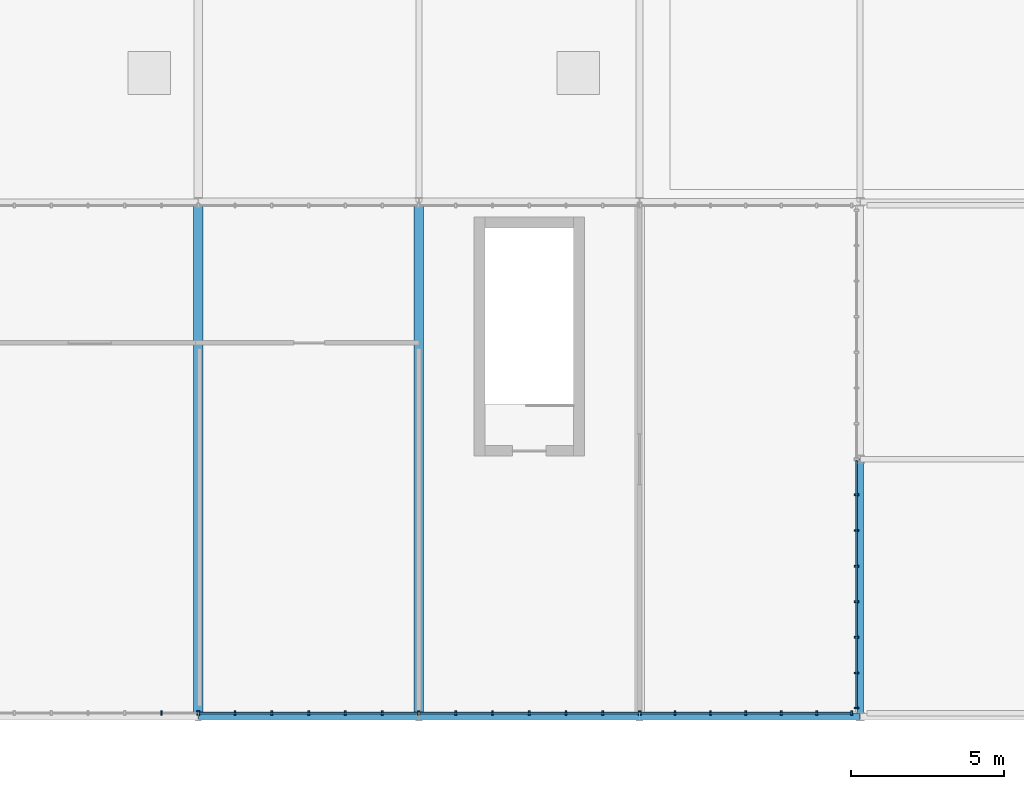
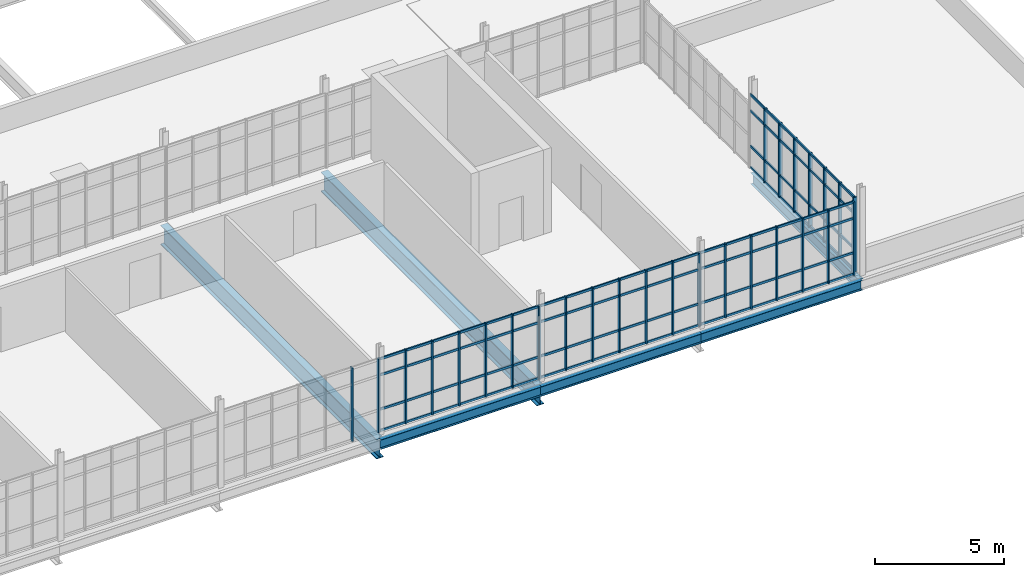
# One storey, part 58 of 119: 46 members, 6 beams, 5 elements without a shape of their own.
"""IFC4 building model written with IfcOpenShell, lengths in metres."""

from ifc_helpers import new_model, si_unit, direction, frame, origin, origin_2d, place, context, subcontext, project, spatial, rectangle, i_section, extrude, material, material_profile, profile_set, type_object, element, aggregate, save


model = new_model("IFC4")

# Units and contexts
model_context = context("Model", 3, precision=1e-05, world=origin(), true_north=direction((0.0, 1.0)))
body_context = subcontext(model_context, "Body", "Model", "MODEL_VIEW")
ifc_project = project(units=[si_unit("LENGTHUNIT", "METRE"), si_unit("AREAUNIT", "SQUARE_METRE"), si_unit("VOLUMEUNIT", "CUBIC_METRE"), si_unit("PLANEANGLEUNIT", "RADIAN"), si_unit("MASSUNIT", "GRAM", prefix="KILO")], contexts=[model_context])

# Site, building, storey
site_placement = place(None, origin())
site = spatial("IfcSite", under=ifc_project, at=site_placement, CompositionType="ELEMENT")
building_placement = place(site_placement, origin())
building = spatial("IfcBuilding", under=site, at=building_placement, Name="Qelthora Terrace Specialist Clinic", CompositionType="ELEMENT")
storey_placement = place(building_placement, frame((0.0, 0.0, 4.800048828125)))
storey = spatial("IfcBuildingStorey", under=building, at=storey_placement, Name="L01", CompositionType="ELEMENT", Elevation=4.800048828125)

# Beams
ifc_material_1 = material(Name="Steel S355", Category="steel")
ifc_material_profile_1 = material_profile(ifc_material_1, i_section(OverallWidth=0.2119140625, OverallDepth=0.5439453125, WebThickness=0.01318359375, FlangeThickness=0.021240234375, FilletRadius=0.013916015625, at=origin_2d()), Name="W530X123")
ifc_profile_set_1 = profile_set([ifc_material_profile_1], Name="Steel S355")
beam_type_1 = type_object("IfcBeamType", Name="BM-W530X123", PredefinedType="BEAM", material=ifc_profile_set_1)
beam_placement = place(storey_placement, frame((151.199951171875, 0.0, -0.52197265625), z_axis=(0.0, 1.0, 0.0), x_axis=(-1.0, 0.0, 0.0)))
element("IfcBeam", 1, at=beam_placement, inside=storey, type_object=beam_type_1, Name="Girder BMY-L01-0525", PredefinedType="BEAM", context=body_context, shape_type="SweptSolid", body=[
    extrude(i_section(OverallWidth=0.2119140625, OverallDepth=0.5439453125, WebThickness=0.01318359375, FlangeThickness=0.021240234375, FilletRadius=0.013916015625, at=origin_2d()), origin(), (0.0, 0.0, 1.0), 8.39990234375),
])
ifc_material_profile_2 = material_profile(ifc_material_1, i_section(OverallWidth=0.30810546875, OverallDepth=0.927001953125, WebThickness=0.019287109375, FlangeThickness=0.031982421875, FilletRadius=0.02197265625, at=origin_2d()), Name="W920X289")
ifc_profile_set_2 = profile_set([ifc_material_profile_2], Name="Steel S355")
beam_type_2 = type_object("IfcBeamType", Name="BM-W920X289", PredefinedType="BEAM", material=ifc_profile_set_2)
for number, where, z_axis, x_axis, name in (
    (2, (129.60009765625, 0.0, -0.713623046875), (0.0, 1.0, 0.0), (-1.0, 0.0, 0.0), "Girder BMY-L01-0501"),
    (3, (136.800048828125, 0.0, -0.713623046875), (0.0, 1.0, 0.0), (-1.0, 0.0, 0.0), "Girder BMY-L01-0507"),
):
    element("IfcBeam", number, at=place(storey_placement, frame(where, z_axis=z_axis, x_axis=x_axis)), inside=storey, type_object=beam_type_2, Name=name, PredefinedType="BEAM", context=body_context, shape_type="SweptSolid", body=[
        extrude(i_section(OverallWidth=0.30810546875, OverallDepth=0.927001953125, WebThickness=0.019287109375, FlangeThickness=0.031982421875, FilletRadius=0.02197265625, at=origin_2d()), origin(), (0.0, 0.0, 1.0), 16.800048828125),
    ])

# Curtain wall, members
ifc_material_2 = material(Name="Aluminium anodized bronze", Category="aluminium")
curtain_wall_type = type_object("IfcCurtainWallType", Name="CW-CONS-UP", PredefinedType="NOTDEFINED", material=ifc_material_2)
curtain_wall_1_placement = place(storey_placement, origin())
curtain_wall_1 = element("IfcCurtainWall", 4, at=curtain_wall_1_placement, inside=storey, type_object=curtain_wall_type, Name="Curtain wall CW-L01-246", PredefinedType="NOTDEFINED")
ifc_material_profile_3 = material_profile(ifc_material_2, rectangle(XDim=0.06005859375, YDim=0.14990234375, at=origin_2d()), Name="CWM60X150")
ifc_profile_set_3 = profile_set([ifc_material_profile_3], Name="Aluminium anodized bronze")
member_type_1 = type_object("IfcMemberType", Name="CWM-60X150", PredefinedType="MULLION", material=ifc_profile_set_3)
member_1_placement = place(storey_placement, frame((151.080078125, 0.280029296875, 0.0), z_axis=(0.0, 0.0, 1.0), x_axis=(0.0, 1.0, 0.0)))
member_1 = element("IfcMember", 5, at=member_1_placement, type_object=member_type_1, Name="CW-L01-246 mullion 1", PredefinedType="MULLION", context=body_context, shape_type="SweptSolid", body=[
    extrude(rectangle(XDim=0.06005859375, YDim=0.14990234375, at=origin_2d()), origin(), (0.0, 0.0, 1.0), 3.529052734375),
])
member_2_placement = place(storey_placement, frame((151.080078125, 1.4228515625, 0.0), z_axis=(0.0, 0.0, 1.0), x_axis=(0.0, 1.0, 0.0)))
member_2 = element("IfcMember", 6, at=member_2_placement, type_object=member_type_1, Name="CW-L01-246 mullion 2", PredefinedType="MULLION", context=body_context, shape_type="SweptSolid", body=[
    extrude(rectangle(XDim=0.06005859375, YDim=0.14990234375, at=origin_2d()), origin(), (0.0, 0.0, 1.0), 3.529052734375),
])
member_3_placement = place(storey_placement, frame((151.080078125, 2.585693359375, 0.0), z_axis=(0.0, 0.0, 1.0), x_axis=(0.0, 1.0, 0.0)))
member_3 = element("IfcMember", 7, at=member_3_placement, type_object=member_type_1, Name="CW-L01-246 mullion 3", PredefinedType="MULLION", context=body_context, shape_type="SweptSolid", body=[
    extrude(rectangle(XDim=0.06005859375, YDim=0.14990234375, at=origin_2d()), origin(), (0.0, 0.0, 1.0), 3.529052734375),
])
member_4_placement = place(storey_placement, frame((151.080078125, 3.74853515625, 0.0), z_axis=(0.0, 0.0, 1.0), x_axis=(0.0, 1.0, 0.0)))
member_4 = element("IfcMember", 8, at=member_4_placement, type_object=member_type_1, Name="CW-L01-246 mullion 4", PredefinedType="MULLION", context=body_context, shape_type="SweptSolid", body=[
    extrude(rectangle(XDim=0.06005859375, YDim=0.14990234375, at=origin_2d()), origin(), (0.0, 0.0, 1.0), 3.529052734375),
])
member_5_placement = place(storey_placement, frame((151.080078125, 4.911376953125, 0.0), z_axis=(0.0, 0.0, 1.0), x_axis=(0.0, 1.0, 0.0)))
member_5 = element("IfcMember", 9, at=member_5_placement, type_object=member_type_1, Name="CW-L01-246 mullion 5", PredefinedType="MULLION", context=body_context, shape_type="SweptSolid", body=[
    extrude(rectangle(XDim=0.06005859375, YDim=0.14990234375, at=origin_2d()), origin(), (0.0, 0.0, 1.0), 3.529052734375),
])
member_6_placement = place(storey_placement, frame((151.080078125, 6.07421875, 0.0), z_axis=(0.0, 0.0, 1.0), x_axis=(0.0, 1.0, 0.0)))
member_6 = element("IfcMember", 10, at=member_6_placement, type_object=member_type_1, Name="CW-L01-246 mullion 6", PredefinedType="MULLION", context=body_context, shape_type="SweptSolid", body=[
    extrude(rectangle(XDim=0.06005859375, YDim=0.14990234375, at=origin_2d()), origin(), (0.0, 0.0, 1.0), 3.529052734375),
])
member_7_placement = place(storey_placement, frame((151.080078125, 7.237060546875, 0.0), z_axis=(0.0, 0.0, 1.0), x_axis=(0.0, 1.0, 0.0)))
member_7 = element("IfcMember", 11, at=member_7_placement, type_object=member_type_1, Name="CW-L01-246 mullion 7", PredefinedType="MULLION", context=body_context, shape_type="SweptSolid", body=[
    extrude(rectangle(XDim=0.06005859375, YDim=0.14990234375, at=origin_2d()), origin(), (0.0, 0.0, 1.0), 3.529052734375),
])

curtain_wall_2_placement = place(storey_placement, origin())
curtain_wall_2 = element("IfcCurtainWall", 12, at=curtain_wall_2_placement, inside=storey, type_object=curtain_wall_type, Name="Curtain wall CW-L01-250", PredefinedType="NOTDEFINED")
member_8_placement = place(storey_placement, frame((128.39990234375, 0.1201171875, 0.0), z_axis=(0.0, 0.0, 1.0), x_axis=(1.0, 0.0, 0.0)))
member_8 = element("IfcMember", 13, at=member_8_placement, type_object=member_type_1, Name="CW-L01-250 mullion 6", PredefinedType="MULLION", context=body_context, shape_type="SweptSolid", body=[
    extrude(rectangle(XDim=0.06005859375, YDim=0.14990234375, at=origin_2d()), origin(), (0.0, 0.0, 1.0), 3.48193359375),
])
member_9_placement = place(storey_placement, frame((129.580078125, 0.1201171875, 0.0), z_axis=(0.0, 0.0, 1.0), x_axis=(1.0, 0.0, 0.0)))
member_9 = element("IfcMember", 14, at=member_9_placement, type_object=member_type_1, Name="CW-L01-250 mullion 7", PredefinedType="MULLION", context=body_context, shape_type="SweptSolid", body=[
    extrude(rectangle(XDim=0.06005859375, YDim=0.14990234375, at=origin_2d()), origin(), (0.0, 0.0, 1.0), 3.48193359375),
])
aggregate(curtain_wall_2, [member_8, member_9])

curtain_wall_3_placement = place(storey_placement, origin())
curtain_wall_3 = element("IfcCurtainWall", 15, at=curtain_wall_3_placement, inside=storey, type_object=curtain_wall_type, Name="Curtain wall CW-L01-251", PredefinedType="NOTDEFINED")
member_10_placement = place(storey_placement, frame((129.6201171875, 0.1201171875, 0.0), z_axis=(0.0, 0.0, 1.0), x_axis=(1.0, 0.0, 0.0)))
member_10 = element("IfcMember", 16, at=member_10_placement, type_object=member_type_1, Name="CW-L01-251 mullion 1", PredefinedType="MULLION", context=body_context, shape_type="SweptSolid", body=[
    extrude(rectangle(XDim=0.06005859375, YDim=0.14990234375, at=origin_2d()), origin(), (0.0, 0.0, 1.0), 3.48193359375),
])
member_11_placement = place(storey_placement, frame((130.800048828125, 0.1201171875, 0.0), z_axis=(0.0, 0.0, 1.0), x_axis=(1.0, 0.0, 0.0)))
member_11 = element("IfcMember", 17, at=member_11_placement, type_object=member_type_1, Name="CW-L01-251 mullion 2", PredefinedType="MULLION", context=body_context, shape_type="SweptSolid", body=[
    extrude(rectangle(XDim=0.06005859375, YDim=0.14990234375, at=origin_2d()), origin(), (0.0, 0.0, 1.0), 3.48193359375),
])
member_12_placement = place(storey_placement, frame((132.0, 0.1201171875, 0.0), z_axis=(0.0, 0.0, 1.0), x_axis=(1.0, 0.0, 0.0)))
member_12 = element("IfcMember", 18, at=member_12_placement, type_object=member_type_1, Name="CW-L01-251 mullion 3", PredefinedType="MULLION", context=body_context, shape_type="SweptSolid", body=[
    extrude(rectangle(XDim=0.06005859375, YDim=0.14990234375, at=origin_2d()), origin(), (0.0, 0.0, 1.0), 3.48193359375),
])
member_13_placement = place(storey_placement, frame((133.199951171875, 0.1201171875, 0.0), z_axis=(0.0, 0.0, 1.0), x_axis=(1.0, 0.0, 0.0)))
member_13 = element("IfcMember", 19, at=member_13_placement, type_object=member_type_1, Name="CW-L01-251 mullion 4", PredefinedType="MULLION", context=body_context, shape_type="SweptSolid", body=[
    extrude(rectangle(XDim=0.06005859375, YDim=0.14990234375, at=origin_2d()), origin(), (0.0, 0.0, 1.0), 3.48193359375),
])
member_14_placement = place(storey_placement, frame((134.39990234375, 0.1201171875, 0.0), z_axis=(0.0, 0.0, 1.0), x_axis=(1.0, 0.0, 0.0)))
member_14 = element("IfcMember", 20, at=member_14_placement, type_object=member_type_1, Name="CW-L01-251 mullion 5", PredefinedType="MULLION", context=body_context, shape_type="SweptSolid", body=[
    extrude(rectangle(XDim=0.06005859375, YDim=0.14990234375, at=origin_2d()), origin(), (0.0, 0.0, 1.0), 3.48193359375),
])
member_15_placement = place(storey_placement, frame((135.60009765625, 0.1201171875, 0.0), z_axis=(0.0, 0.0, 1.0), x_axis=(1.0, 0.0, 0.0)))
member_15 = element("IfcMember", 21, at=member_15_placement, type_object=member_type_1, Name="CW-L01-251 mullion 6", PredefinedType="MULLION", context=body_context, shape_type="SweptSolid", body=[
    extrude(rectangle(XDim=0.06005859375, YDim=0.14990234375, at=origin_2d()), origin(), (0.0, 0.0, 1.0), 3.48193359375),
])
member_16_placement = place(storey_placement, frame((136.780029296875, 0.1201171875, 0.0), z_axis=(0.0, 0.0, 1.0), x_axis=(1.0, 0.0, 0.0)))
member_16 = element("IfcMember", 22, at=member_16_placement, type_object=member_type_1, Name="CW-L01-251 mullion 7", PredefinedType="MULLION", context=body_context, shape_type="SweptSolid", body=[
    extrude(rectangle(XDim=0.06005859375, YDim=0.14990234375, at=origin_2d()), origin(), (0.0, 0.0, 1.0), 3.48193359375),
])

curtain_wall_4_placement = place(storey_placement, origin())
curtain_wall_4 = element("IfcCurtainWall", 23, at=curtain_wall_4_placement, inside=storey, type_object=curtain_wall_type, Name="Curtain wall CW-L01-252", PredefinedType="NOTDEFINED")
member_17_placement = place(storey_placement, frame((136.820068359375, 0.1201171875, 0.0), z_axis=(0.0, 0.0, 1.0), x_axis=(1.0, 0.0, 0.0)))
member_17 = element("IfcMember", 24, at=member_17_placement, type_object=member_type_1, Name="CW-L01-252 mullion 1", PredefinedType="MULLION", context=body_context, shape_type="SweptSolid", body=[
    extrude(rectangle(XDim=0.06005859375, YDim=0.14990234375, at=origin_2d()), origin(), (0.0, 0.0, 1.0), 3.48193359375),
])
member_18_placement = place(storey_placement, frame((138.0, 0.1201171875, 0.0), z_axis=(0.0, 0.0, 1.0), x_axis=(1.0, 0.0, 0.0)))
member_18 = element("IfcMember", 25, at=member_18_placement, type_object=member_type_1, Name="CW-L01-252 mullion 2", PredefinedType="MULLION", context=body_context, shape_type="SweptSolid", body=[
    extrude(rectangle(XDim=0.06005859375, YDim=0.14990234375, at=origin_2d()), origin(), (0.0, 0.0, 1.0), 3.48193359375),
])
member_19_placement = place(storey_placement, frame((139.199951171875, 0.1201171875, 0.0), z_axis=(0.0, 0.0, 1.0), x_axis=(1.0, 0.0, 0.0)))
member_19 = element("IfcMember", 26, at=member_19_placement, type_object=member_type_1, Name="CW-L01-252 mullion 3", PredefinedType="MULLION", context=body_context, shape_type="SweptSolid", body=[
    extrude(rectangle(XDim=0.06005859375, YDim=0.14990234375, at=origin_2d()), origin(), (0.0, 0.0, 1.0), 3.48193359375),
])
member_20_placement = place(storey_placement, frame((140.39990234375, 0.1201171875, 0.0), z_axis=(0.0, 0.0, 1.0), x_axis=(1.0, 0.0, 0.0)))
member_20 = element("IfcMember", 27, at=member_20_placement, type_object=member_type_1, Name="CW-L01-252 mullion 4", PredefinedType="MULLION", context=body_context, shape_type="SweptSolid", body=[
    extrude(rectangle(XDim=0.06005859375, YDim=0.14990234375, at=origin_2d()), origin(), (0.0, 0.0, 1.0), 3.48193359375),
])
member_21_placement = place(storey_placement, frame((141.60009765625, 0.1201171875, 0.0), z_axis=(0.0, 0.0, 1.0), x_axis=(1.0, 0.0, 0.0)))
member_21 = element("IfcMember", 28, at=member_21_placement, type_object=member_type_1, Name="CW-L01-252 mullion 5", PredefinedType="MULLION", context=body_context, shape_type="SweptSolid", body=[
    extrude(rectangle(XDim=0.06005859375, YDim=0.14990234375, at=origin_2d()), origin(), (0.0, 0.0, 1.0), 3.48193359375),
])
member_22_placement = place(storey_placement, frame((142.800048828125, 0.1201171875, 0.0), z_axis=(0.0, 0.0, 1.0), x_axis=(1.0, 0.0, 0.0)))
member_22 = element("IfcMember", 29, at=member_22_placement, type_object=member_type_1, Name="CW-L01-252 mullion 6", PredefinedType="MULLION", context=body_context, shape_type="SweptSolid", body=[
    extrude(rectangle(XDim=0.06005859375, YDim=0.14990234375, at=origin_2d()), origin(), (0.0, 0.0, 1.0), 3.48193359375),
])
member_23_placement = place(storey_placement, frame((143.97998046875, 0.1201171875, 0.0), z_axis=(0.0, 0.0, 1.0), x_axis=(1.0, 0.0, 0.0)))
member_23 = element("IfcMember", 30, at=member_23_placement, type_object=member_type_1, Name="CW-L01-252 mullion 7", PredefinedType="MULLION", context=body_context, shape_type="SweptSolid", body=[
    extrude(rectangle(XDim=0.06005859375, YDim=0.14990234375, at=origin_2d()), origin(), (0.0, 0.0, 1.0), 3.48193359375),
])

curtain_wall_5_placement = place(storey_placement, origin())
curtain_wall_5 = element("IfcCurtainWall", 31, at=curtain_wall_5_placement, inside=storey, type_object=curtain_wall_type, Name="Curtain wall CW-L01-253", PredefinedType="NOTDEFINED")
member_24_placement = place(storey_placement, frame((144.02001953125, 0.1201171875, 0.0), z_axis=(0.0, 0.0, 1.0), x_axis=(1.0, 0.0, 0.0)))
member_24 = element("IfcMember", 32, at=member_24_placement, type_object=member_type_1, Name="CW-L01-253 mullion 1", PredefinedType="MULLION", context=body_context, shape_type="SweptSolid", body=[
    extrude(rectangle(XDim=0.06005859375, YDim=0.14990234375, at=origin_2d()), origin(), (0.0, 0.0, 1.0), 3.48193359375),
])
member_25_placement = place(storey_placement, frame((145.15673828125, 0.1201171875, 0.0), z_axis=(0.0, 0.0, 1.0), x_axis=(1.0, 0.0, 0.0)))
member_25 = element("IfcMember", 33, at=member_25_placement, type_object=member_type_1, Name="CW-L01-253 mullion 2", PredefinedType="MULLION", context=body_context, shape_type="SweptSolid", body=[
    extrude(rectangle(XDim=0.06005859375, YDim=0.14990234375, at=origin_2d()), origin(), (0.0, 0.0, 1.0), 3.48193359375),
])
member_26_placement = place(storey_placement, frame((146.313232421875, 0.1201171875, 0.0), z_axis=(0.0, 0.0, 1.0), x_axis=(1.0, 0.0, 0.0)))
member_26 = element("IfcMember", 34, at=member_26_placement, type_object=member_type_1, Name="CW-L01-253 mullion 3", PredefinedType="MULLION", context=body_context, shape_type="SweptSolid", body=[
    extrude(rectangle(XDim=0.06005859375, YDim=0.14990234375, at=origin_2d()), origin(), (0.0, 0.0, 1.0), 3.48193359375),
])
member_27_placement = place(storey_placement, frame((147.469970703125, 0.1201171875, 0.0), z_axis=(0.0, 0.0, 1.0), x_axis=(1.0, 0.0, 0.0)))
member_27 = element("IfcMember", 35, at=member_27_placement, type_object=member_type_1, Name="CW-L01-253 mullion 4", PredefinedType="MULLION", context=body_context, shape_type="SweptSolid", body=[
    extrude(rectangle(XDim=0.06005859375, YDim=0.14990234375, at=origin_2d()), origin(), (0.0, 0.0, 1.0), 3.48193359375),
])
member_28_placement = place(storey_placement, frame((148.626708984375, 0.1201171875, 0.0), z_axis=(0.0, 0.0, 1.0), x_axis=(1.0, 0.0, 0.0)))
member_28 = element("IfcMember", 36, at=member_28_placement, type_object=member_type_1, Name="CW-L01-253 mullion 5", PredefinedType="MULLION", context=body_context, shape_type="SweptSolid", body=[
    extrude(rectangle(XDim=0.06005859375, YDim=0.14990234375, at=origin_2d()), origin(), (0.0, 0.0, 1.0), 3.48193359375),
])
member_29_placement = place(storey_placement, frame((149.783447265625, 0.1201171875, 0.0), z_axis=(0.0, 0.0, 1.0), x_axis=(1.0, 0.0, 0.0)))
member_29 = element("IfcMember", 37, at=member_29_placement, type_object=member_type_1, Name="CW-L01-253 mullion 6", PredefinedType="MULLION", context=body_context, shape_type="SweptSolid", body=[
    extrude(rectangle(XDim=0.06005859375, YDim=0.14990234375, at=origin_2d()), origin(), (0.0, 0.0, 1.0), 3.48193359375),
])
member_30_placement = place(storey_placement, frame((150.919921875, 0.1201171875, 0.0), z_axis=(0.0, 0.0, 1.0), x_axis=(1.0, 0.0, 0.0)))
member_30 = element("IfcMember", 38, at=member_30_placement, type_object=member_type_1, Name="CW-L01-253 mullion 7", PredefinedType="MULLION", context=body_context, shape_type="SweptSolid", body=[
    extrude(rectangle(XDim=0.06005859375, YDim=0.14990234375, at=origin_2d()), origin(), (0.0, 0.0, 1.0), 3.48193359375),
])

# Member
ifc_material_profile_4 = material_profile(ifc_material_2, rectangle(XDim=0.06005859375, YDim=0.110107421875, at=origin_2d()), Name="CWT60X110")
ifc_profile_set_4 = profile_set([ifc_material_profile_4], Name="Aluminium anodized bronze")
member_type_2 = type_object("IfcMemberType", Name="CWT-60X110", PredefinedType="USERDEFINED", material=ifc_profile_set_4)
member_31_placement = place(storey_placement, frame((151.080078125, 0.300048828125, 0.0400390625), z_axis=(0.0, 1.0, 0.0), x_axis=(-1.0, 0.0, 0.0)))
member_31 = element("IfcMember", 39, at=member_31_placement, type_object=member_type_2, Name="CW-L01-246 transom 1", ObjectType="TRANSOM", PredefinedType="USERDEFINED", context=body_context, shape_type="SweptSolid", body=[
    extrude(rectangle(XDim=0.06005859375, YDim=0.110107421875, at=origin_2d()), origin(), (0.0, 0.0, 1.0), 8.06005859375),
])

member_32_placement = place(storey_placement, frame((151.080078125, 0.300048828125, 1.050048828125), z_axis=(0.0, 1.0, 0.0), x_axis=(-1.0, 0.0, 0.0)))
member_32 = element("IfcMember", 40, at=member_32_placement, type_object=member_type_2, Name="CW-L01-246 transom 2", ObjectType="TRANSOM", PredefinedType="USERDEFINED", context=body_context, shape_type="SweptSolid", body=[
    extrude(rectangle(XDim=0.06005859375, YDim=0.110107421875, at=origin_2d()), origin(), (0.0, 0.0, 1.0), 8.06005859375),
])

member_33_placement = place(storey_placement, frame((151.080078125, 0.300048828125, 2.72900390625), z_axis=(0.0, 1.0, 0.0), x_axis=(-1.0, 0.0, 0.0)))
member_33 = element("IfcMember", 41, at=member_33_placement, type_object=member_type_2, Name="CW-L01-246 transom 3", ObjectType="TRANSOM", PredefinedType="USERDEFINED", context=body_context, shape_type="SweptSolid", body=[
    extrude(rectangle(XDim=0.06005859375, YDim=0.110107421875, at=origin_2d()), origin(), (0.0, 0.0, 1.0), 8.06005859375),
])

member_34_placement = place(storey_placement, frame((151.080078125, 0.300048828125, 3.489013671875), z_axis=(0.0, 1.0, 0.0), x_axis=(-1.0, 0.0, 0.0)))
member_34 = element("IfcMember", 42, at=member_34_placement, type_object=member_type_2, Name="CW-L01-246 transom 4", ObjectType="TRANSOM", PredefinedType="USERDEFINED", context=body_context, shape_type="SweptSolid", body=[
    extrude(rectangle(XDim=0.06005859375, YDim=0.110107421875, at=origin_2d()), origin(), (0.0, 0.0, 1.0), 8.06005859375),
])

aggregate(curtain_wall_1, [member_1, member_2, member_3, member_4, member_5, member_6, member_7, member_31, member_32, member_33, member_34])

member_35_placement = place(storey_placement, frame((129.639892578125, 0.1201171875, 0.0400390625), z_axis=(1.0, 0.0, 0.0), x_axis=(0.0, 1.0, 0.0)))
member_35 = element("IfcMember", 43, at=member_35_placement, type_object=member_type_2, Name="CW-L01-251 transom 1", ObjectType="TRANSOM", PredefinedType="USERDEFINED", context=body_context, shape_type="SweptSolid", body=[
    extrude(rectangle(XDim=0.06005859375, YDim=0.110107421875, at=origin_2d()), origin(), (0.0, 0.0, 1.0), 7.1201171875),
])

member_36_placement = place(storey_placement, frame((129.639892578125, 0.1201171875, 1.050048828125), z_axis=(1.0, 0.0, 0.0), x_axis=(0.0, 1.0, 0.0)))
member_36 = element("IfcMember", 44, at=member_36_placement, type_object=member_type_2, Name="CW-L01-251 transom 2", ObjectType="TRANSOM", PredefinedType="USERDEFINED", context=body_context, shape_type="SweptSolid", body=[
    extrude(rectangle(XDim=0.06005859375, YDim=0.110107421875, at=origin_2d()), origin(), (0.0, 0.0, 1.0), 7.1201171875),
])

member_37_placement = place(storey_placement, frame((129.639892578125, 0.1201171875, 2.681884765625), z_axis=(1.0, 0.0, 0.0), x_axis=(0.0, 1.0, 0.0)))
member_37 = element("IfcMember", 45, at=member_37_placement, type_object=member_type_2, Name="CW-L01-251 transom 3", ObjectType="TRANSOM", PredefinedType="USERDEFINED", context=body_context, shape_type="SweptSolid", body=[
    extrude(rectangle(XDim=0.06005859375, YDim=0.110107421875, at=origin_2d()), origin(), (0.0, 0.0, 1.0), 7.1201171875),
])

member_38_placement = place(storey_placement, frame((129.639892578125, 0.1201171875, 3.44189453125), z_axis=(1.0, 0.0, 0.0), x_axis=(0.0, 1.0, 0.0)))
member_38 = element("IfcMember", 46, at=member_38_placement, type_object=member_type_2, Name="CW-L01-251 transom 4", ObjectType="TRANSOM", PredefinedType="USERDEFINED", context=body_context, shape_type="SweptSolid", body=[
    extrude(rectangle(XDim=0.06005859375, YDim=0.110107421875, at=origin_2d()), origin(), (0.0, 0.0, 1.0), 7.1201171875),
])

aggregate(curtain_wall_3, [member_10, member_11, member_12, member_13, member_14, member_15, member_16, member_35, member_36, member_37, member_38])

member_39_placement = place(storey_placement, frame((136.840087890625, 0.1201171875, 0.0400390625), z_axis=(1.0, 0.0, 0.0), x_axis=(0.0, 1.0, 0.0)))
member_39 = element("IfcMember", 47, at=member_39_placement, type_object=member_type_2, Name="CW-L01-252 transom 1", ObjectType="TRANSOM", PredefinedType="USERDEFINED", context=body_context, shape_type="SweptSolid", body=[
    extrude(rectangle(XDim=0.06005859375, YDim=0.110107421875, at=origin_2d()), origin(), (0.0, 0.0, 1.0), 7.119873046875),
])

member_40_placement = place(storey_placement, frame((136.840087890625, 0.1201171875, 1.050048828125), z_axis=(1.0, 0.0, 0.0), x_axis=(0.0, 1.0, 0.0)))
member_40 = element("IfcMember", 48, at=member_40_placement, type_object=member_type_2, Name="CW-L01-252 transom 2", ObjectType="TRANSOM", PredefinedType="USERDEFINED", context=body_context, shape_type="SweptSolid", body=[
    extrude(rectangle(XDim=0.06005859375, YDim=0.110107421875, at=origin_2d()), origin(), (0.0, 0.0, 1.0), 7.119873046875),
])

member_41_placement = place(storey_placement, frame((136.840087890625, 0.1201171875, 2.681884765625), z_axis=(1.0, 0.0, 0.0), x_axis=(0.0, 1.0, 0.0)))
member_41 = element("IfcMember", 49, at=member_41_placement, type_object=member_type_2, Name="CW-L01-252 transom 3", ObjectType="TRANSOM", PredefinedType="USERDEFINED", context=body_context, shape_type="SweptSolid", body=[
    extrude(rectangle(XDim=0.06005859375, YDim=0.110107421875, at=origin_2d()), origin(), (0.0, 0.0, 1.0), 7.119873046875),
])

member_42_placement = place(storey_placement, frame((136.840087890625, 0.1201171875, 3.44189453125), z_axis=(1.0, 0.0, 0.0), x_axis=(0.0, 1.0, 0.0)))
member_42 = element("IfcMember", 50, at=member_42_placement, type_object=member_type_2, Name="CW-L01-252 transom 4", ObjectType="TRANSOM", PredefinedType="USERDEFINED", context=body_context, shape_type="SweptSolid", body=[
    extrude(rectangle(XDim=0.06005859375, YDim=0.110107421875, at=origin_2d()), origin(), (0.0, 0.0, 1.0), 7.119873046875),
])

aggregate(curtain_wall_4, [member_17, member_18, member_19, member_20, member_21, member_22, member_23, member_39, member_40, member_41, member_42])

member_43_placement = place(storey_placement, frame((144.0400390625, 0.1201171875, 0.0400390625), z_axis=(1.0, 0.0, 0.0), x_axis=(0.0, 1.0, 0.0)))
member_43 = element("IfcMember", 51, at=member_43_placement, type_object=member_type_2, Name="CW-L01-253 transom 1", ObjectType="TRANSOM", PredefinedType="USERDEFINED", context=body_context, shape_type="SweptSolid", body=[
    extrude(rectangle(XDim=0.06005859375, YDim=0.110107421875, at=origin_2d()), origin(), (0.0, 0.0, 1.0), 6.85986328125),
])

member_44_placement = place(storey_placement, frame((144.0400390625, 0.1201171875, 1.050048828125), z_axis=(1.0, 0.0, 0.0), x_axis=(0.0, 1.0, 0.0)))
member_44 = element("IfcMember", 52, at=member_44_placement, type_object=member_type_2, Name="CW-L01-253 transom 2", ObjectType="TRANSOM", PredefinedType="USERDEFINED", context=body_context, shape_type="SweptSolid", body=[
    extrude(rectangle(XDim=0.06005859375, YDim=0.110107421875, at=origin_2d()), origin(), (0.0, 0.0, 1.0), 6.85986328125),
])

member_45_placement = place(storey_placement, frame((144.0400390625, 0.1201171875, 2.681884765625), z_axis=(1.0, 0.0, 0.0), x_axis=(0.0, 1.0, 0.0)))
member_45 = element("IfcMember", 53, at=member_45_placement, type_object=member_type_2, Name="CW-L01-253 transom 3", ObjectType="TRANSOM", PredefinedType="USERDEFINED", context=body_context, shape_type="SweptSolid", body=[
    extrude(rectangle(XDim=0.06005859375, YDim=0.110107421875, at=origin_2d()), origin(), (0.0, 0.0, 1.0), 6.85986328125),
])

member_46_placement = place(storey_placement, frame((144.0400390625, 0.1201171875, 3.44189453125), z_axis=(1.0, 0.0, 0.0), x_axis=(0.0, 1.0, 0.0)))
member_46 = element("IfcMember", 54, at=member_46_placement, type_object=member_type_2, Name="CW-L01-253 transom 4", ObjectType="TRANSOM", PredefinedType="USERDEFINED", context=body_context, shape_type="SweptSolid", body=[
    extrude(rectangle(XDim=0.06005859375, YDim=0.110107421875, at=origin_2d()), origin(), (0.0, 0.0, 1.0), 6.85986328125),
])

aggregate(curtain_wall_5, [member_24, member_25, member_26, member_27, member_28, member_29, member_30, member_43, member_44, member_45, member_46])

# Beams
ifc_material_profile_5 = material_profile(ifc_material_1, i_section(OverallWidth=0.19091796875, OverallDepth=0.4599609375, WebThickness=0.010009765625, FlangeThickness=0.01611328125, FilletRadius=0.012939453125, at=origin_2d()), Name="W460X82")
ifc_profile_set_5 = profile_set([ifc_material_profile_5], Name="Steel S355")
beam_type_3 = type_object("IfcBeamType", Name="SPD-W460X82", PredefinedType="SPANDREL", material=ifc_profile_set_5)
for number, where, z_axis, x_axis, name in (
    (55, (129.60009765625, 0.0, -0.47998046875), (1.0, 0.0, 0.0), (0.0, 1.0, 0.0), "Girder BMX-L01-0143"),
    (56, (136.800048828125, 0.0, -0.47998046875), (1.0, 0.0, 0.0), (0.0, 1.0, 0.0), "Girder BMX-L01-0144"),
    (57, (144.0, 0.0, -0.47998046875), (1.0, 0.0, 0.0), (0.0, 1.0, 0.0), "Girder BMX-L01-0145"),
):
    element("IfcBeam", number, at=place(storey_placement, frame(where, z_axis=z_axis, x_axis=x_axis)), inside=storey, type_object=beam_type_3, Name=name, PredefinedType="SPANDREL", context=body_context, shape_type="SweptSolid", body=[
        extrude(i_section(OverallWidth=0.19091796875, OverallDepth=0.4599609375, WebThickness=0.010009765625, FlangeThickness=0.01611328125, FilletRadius=0.012939453125, at=origin_2d()), origin(), (0.0, 0.0, 1.0), 7.199951171875),
    ])

save(model, "model.ifc")
